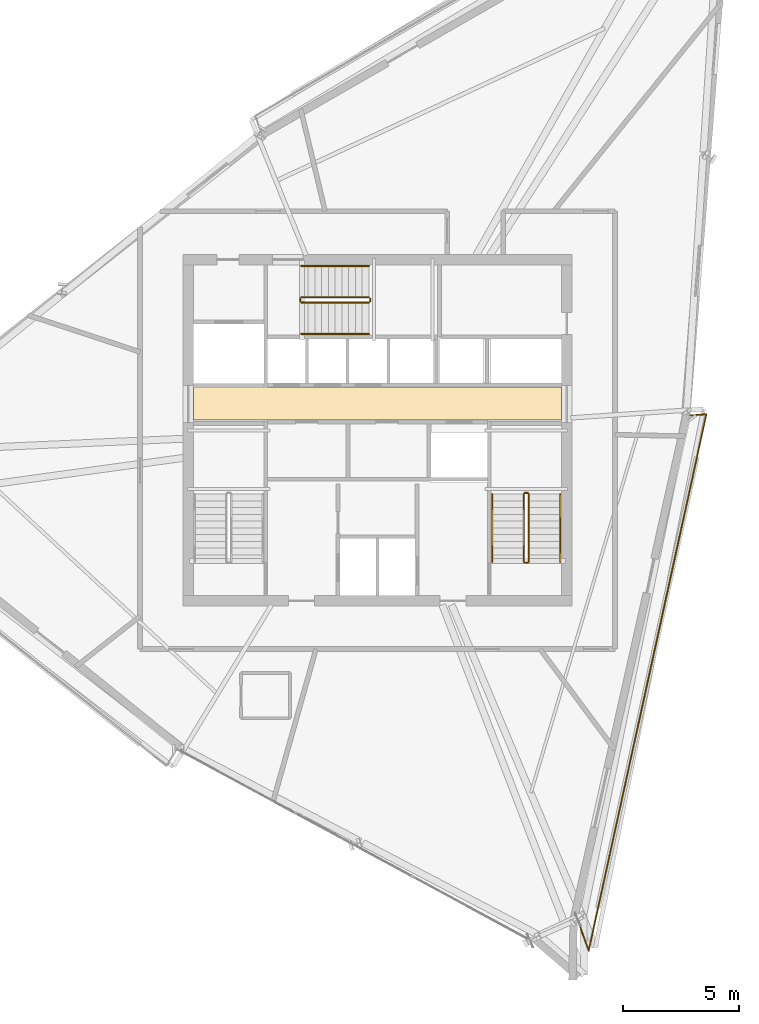
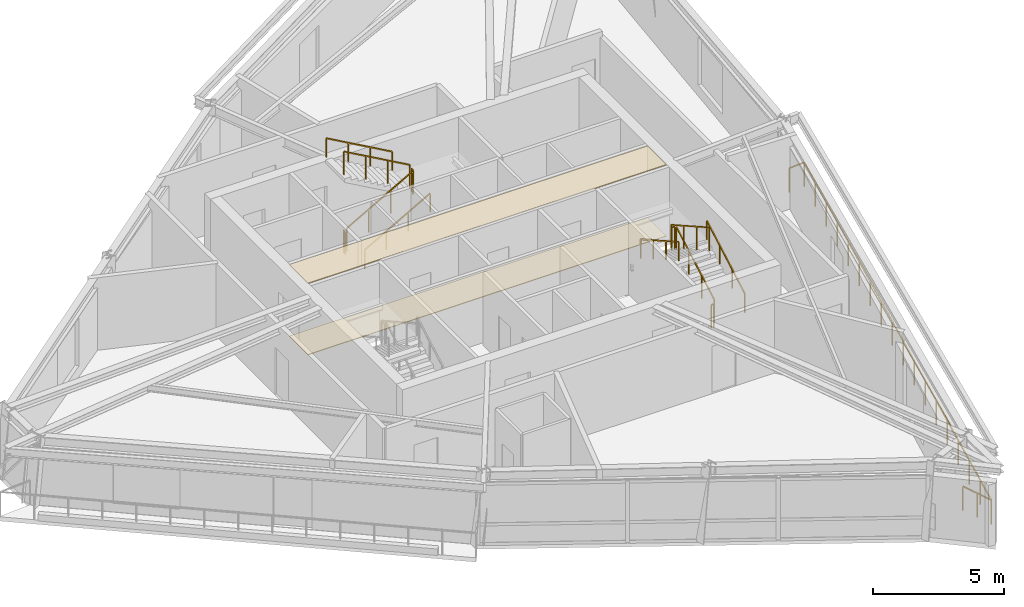
# One storey, part 14 of 15: 13 railings, 2 coverings.
"""IFC4 building model written with IfcOpenShell, lengths in metres."""

from ifc_helpers import new_model, si_unit, direction, frame, origin, origin_2d, place, context, subcontext, project, spatial, polyline, rectangle, outline, extrude, material, layer, layer_set, type_object, element, save


model = new_model("IFC4")

# Units and contexts
model_context = context("Model", 3, precision=1e-05, world=origin(), true_north=direction((0.0, 1.0)))
body_context = subcontext(model_context, "Body", "Model", "MODEL_VIEW")
ifc_project = project(units=[si_unit("LENGTHUNIT", "METRE"), si_unit("AREAUNIT", "SQUARE_METRE"), si_unit("VOLUMEUNIT", "CUBIC_METRE"), si_unit("PLANEANGLEUNIT", "RADIAN"), si_unit("MASSUNIT", "GRAM", prefix="KILO")], contexts=[model_context])

# Site, building, storey
site_placement = place(None, origin())
site = spatial("IfcSite", under=ifc_project, at=site_placement, CompositionType="ELEMENT")
building_placement = place(site_placement, origin())
building = spatial("IfcBuilding", under=site, at=building_placement, Name="Olszyna Solenne Hotel", CompositionType="ELEMENT")
storey_placement = place(building_placement, frame((0.0, 0.0, 270.5)))
storey = spatial("IfcBuildingStorey", under=building, at=storey_placement, Name="L72", CompositionType="ELEMENT", Elevation=270.5)

# Coverings
ifc_material_1 = material(Name="Mineral wool acoustic ceiling")
ifc_layer_1 = layer(ifc_material_1, 0.0400390625, Name="Mineral wool acoustic ceiling")
ifc_layer_set_1 = layer_set([ifc_layer_1], Name="Mineral wool acoustic ceiling")
covering_type_1 = type_object("IfcCoveringType", Name="CL-AC1", PredefinedType="CEILING", material=ifc_layer_set_1)
covering_1_placement = place(storey_placement, frame((0.0, 0.0, 3.320068359375)))
element("IfcCovering", 1, at=covering_1_placement, inside=storey, type_object=covering_type_1, Name="Lift lobby acoustic tile ceiling CL-L72-01", PredefinedType="CEILING", context=body_context, shape_type="SweptSolid", body=[
    extrude(outline(polyline([(30.10009765625, 27.030029296875), (45.89990234375, 27.030029296875), (45.89990234375, 28.4599609375), (30.10009765625, 28.4599609375), (30.10009765625, 27.030029296875)])), origin(), (0.0, 0.0, 1.0), 0.0400390625),
])
ifc_material_2 = material(Name="Ceramic floor tile")
ifc_layer_2 = layer(ifc_material_2, 0.030029296875, Name="Ceramic floor tile")
ifc_layer_set_2 = layer_set([ifc_layer_2], Name="Ceramic floor tile")
covering_type_2 = type_object("IfcCoveringType", Name="FL-TL1", PredefinedType="FLOORING", material=ifc_layer_set_2)
covering_2_placement = place(storey_placement, origin())
element("IfcCovering", 2, at=covering_2_placement, inside=storey, type_object=covering_type_2, Name="Lift lobby stoneware floor finish FLR-L72-01", PredefinedType="FLOORING", context=body_context, shape_type="SweptSolid", body=[
    extrude(outline(polyline([(30.10009765625, 27.030029296875), (45.89990234375, 27.030029296875), (45.89990234375, 28.4599609375), (30.10009765625, 28.4599609375), (30.10009765625, 27.030029296875)])), origin(), (0.0, 0.0, 1.0), 0.030029296875),
])

# Railings
ifc_material_3 = material(Name="Anodised bronze aluminium", Category="aluminium")
railing_type_1 = type_object("IfcRailingType", Name="GR-110", PredefinedType="BALUSTRADE", material=ifc_material_3)
railing_1_placement = place(storey_placement, frame((46.589599609375, 5.580078125, 0.0)))
element("IfcRailing", 3, at=railing_1_placement, inside=storey, type_object=railing_type_1, Name="Loggia balcony balustrade guard GR-L72-LG3", PredefinedType="BALUSTRADE", context=body_context, shape_type="SweptSolid", body=[
    extrude(rectangle(XDim=0.048095703125, YDim=0.048095703125, at=origin_2d()), frame((0.0, 0.0, 1.1259765625), z_axis=(0.3380367642, -0.941132905624, 0.0), x_axis=(0.941132905624, 0.3380367642, 0.0)), (0.0, 0.0, 1.0), 1.41845703125),
    extrude(rectangle(XDim=0.048095703125, YDim=0.048095703125, at=origin_2d()), frame((0.4794921875, -1.3349609375, 1.1259765625), z_axis=(0.21430564267, 0.976766651519, 0.0), x_axis=(-0.976766651519, 0.21430564267, 0.0)), (0.0, 0.0, 1.0), 23.583984375),
    extrude(rectangle(XDim=0.048095703125, YDim=0.048095703125, at=origin_2d()), frame((5.53369140625, 21.701171875, 1.1259765625), z_axis=(-0.997362556025, -0.072580519697, 0.0), x_axis=(0.072580519697, -0.997362556025, 0.0)), (0.0, 0.0, 1.0), 0.689453125),
    extrude(rectangle(XDim=0.0419921875, YDim=0.0419921875, at=origin_2d()), origin(), (0.0, 0.0, 1.0), 1.101806640625),
    extrude(rectangle(XDim=0.0419921875, YDim=0.0419921875, at=origin_2d()), frame((0.23974609375, -0.66748046875, 0.0)), (0.0, 0.0, 1.0), 1.101806640625),
    extrude(rectangle(XDim=0.0419921875, YDim=0.0419921875, at=origin_2d()), frame((0.4794921875, -1.3349609375, 0.0)), (0.0, 0.0, 1.0), 1.101806640625),
    extrude(rectangle(XDim=0.0419921875, YDim=0.0419921875, at=origin_2d()), frame((0.77685546875, 0.02001953125, 0.0)), (0.0, 0.0, 1.0), 1.101806640625),
    extrude(rectangle(XDim=0.0419921875, YDim=0.0419921875, at=origin_2d()), frame((1.07421875, 1.375244140625, 0.0)), (0.0, 0.0, 1.0), 1.101806640625),
    extrude(rectangle(XDim=0.0419921875, YDim=0.0419921875, at=origin_2d()), frame((1.371337890625, 2.730224609375, 0.0)), (0.0, 0.0, 1.0), 1.101806640625),
    extrude(rectangle(XDim=0.0419921875, YDim=0.0419921875, at=origin_2d()), frame((1.668701171875, 4.085205078125, 0.0)), (0.0, 0.0, 1.0), 1.101806640625),
    extrude(rectangle(XDim=0.0419921875, YDim=0.0419921875, at=origin_2d()), frame((1.966064453125, 5.4404296875, 0.0)), (0.0, 0.0, 1.0), 1.101806640625),
    extrude(rectangle(XDim=0.0419921875, YDim=0.0419921875, at=origin_2d()), frame((2.263427734375, 6.79541015625, 0.0)), (0.0, 0.0, 1.0), 1.101806640625),
    extrude(rectangle(XDim=0.0419921875, YDim=0.0419921875, at=origin_2d()), frame((2.560546875, 8.150390625, 0.0)), (0.0, 0.0, 1.0), 1.101806640625),
    extrude(rectangle(XDim=0.0419921875, YDim=0.0419921875, at=origin_2d()), frame((2.85791015625, 9.505615234375, 0.0)), (0.0, 0.0, 1.0), 1.101806640625),
    extrude(rectangle(XDim=0.0419921875, YDim=0.0419921875, at=origin_2d()), frame((3.1552734375, 10.860595703125, 0.0)), (0.0, 0.0, 1.0), 1.101806640625),
    extrude(rectangle(XDim=0.0419921875, YDim=0.0419921875, at=origin_2d()), frame((3.45263671875, 12.2158203125, 0.0)), (0.0, 0.0, 1.0), 1.101806640625),
    extrude(rectangle(XDim=0.0419921875, YDim=0.0419921875, at=origin_2d()), frame((3.749755859375, 13.57080078125, 0.0)), (0.0, 0.0, 1.0), 1.101806640625),
    extrude(rectangle(XDim=0.0419921875, YDim=0.0419921875, at=origin_2d()), frame((4.047119140625, 14.92578125, 0.0)), (0.0, 0.0, 1.0), 1.101806640625),
    extrude(rectangle(XDim=0.0419921875, YDim=0.0419921875, at=origin_2d()), frame((4.344482421875, 16.281005859375, 0.0)), (0.0, 0.0, 1.0), 1.101806640625),
    extrude(rectangle(XDim=0.0419921875, YDim=0.0419921875, at=origin_2d()), frame((4.641845703125, 17.635986328125, 0.0)), (0.0, 0.0, 1.0), 1.101806640625),
    extrude(rectangle(XDim=0.0419921875, YDim=0.0419921875, at=origin_2d()), frame((4.93896484375, 18.990966796875, 0.0)), (0.0, 0.0, 1.0), 1.101806640625),
    extrude(rectangle(XDim=0.0419921875, YDim=0.0419921875, at=origin_2d()), frame((5.236328125, 20.34619140625, 0.0)), (0.0, 0.0, 1.0), 1.101806640625),
    extrude(rectangle(XDim=0.0419921875, YDim=0.0419921875, at=origin_2d()), frame((5.53369140625, 21.701171875, 0.0)), (0.0, 0.0, 1.0), 1.101806640625),
    extrude(rectangle(XDim=0.0419921875, YDim=0.0419921875, at=origin_2d()), frame((4.845947265625, 21.651123046875, 0.0)), (0.0, 0.0, 1.0), 1.101806640625),
])
railing_2_placement = place(storey_placement, frame((44.5, 20.949951171875, 0.16357421875)))
element("IfcRailing", 4, at=railing_2_placement, inside=storey, type_object=railing_type_1, Name="L72 ST2 stair guard 1", PredefinedType="BALUSTRADE", context=body_context, shape_type="SweptSolid", body=[
    extrude(rectangle(XDim=0.048095703125, YDim=0.048095703125, at=origin_2d()), frame((0.0, 0.0, 1.076171875), z_axis=(0.0, 0.870914908162, 0.491433843708), x_axis=(-1.0, 0.0, 0.0)), (0.0, 0.0, 1.0), 3.330078125),
    extrude(rectangle(XDim=0.0419921875, YDim=0.0419921875, at=origin_2d()), origin(), (0.0, 0.0, 1.0), 1.052001953125),
    extrude(rectangle(XDim=0.0419921875, YDim=0.0419921875, at=origin_2d()), frame((0.0, 0.966796875, 0.54541015625)), (0.0, 0.0, 1.0), 1.052001953125),
    extrude(rectangle(XDim=0.0419921875, YDim=0.0419921875, at=origin_2d()), frame((0.0, 1.933349609375, 1.091064453125)), (0.0, 0.0, 1.0), 1.052001953125),
    extrude(rectangle(XDim=0.0419921875, YDim=0.0419921875, at=origin_2d()), frame((0.0, 2.900146484375, 1.636474609375)), (0.0, 0.0, 1.0), 1.052001953125),
])
railing_3_placement = place(storey_placement, frame((44.449951171875, 23.89990234375, 1.800048828125)))
element("IfcRailing", 5, at=railing_3_placement, inside=storey, type_object=railing_type_1, Name="L72 ST2 stair guard 2", PredefinedType="BALUSTRADE", context=body_context, shape_type="SweptSolid", body=[
    extrude(rectangle(XDim=0.048095703125, YDim=0.048095703125, at=origin_2d()), frame((0.0, 0.0, 1.076171875), z_axis=(-1.0, 0.0, 0.0), x_axis=(0.0, -1.0, 0.0)), (0.0, 0.0, 1.0), 0.119873046875),
    extrude(rectangle(XDim=0.0419921875, YDim=0.0419921875, at=origin_2d()), origin(), (0.0, 0.0, 1.0), 1.052001953125),
    extrude(rectangle(XDim=0.0419921875, YDim=0.0419921875, at=origin_2d()), frame((-0.119873046875, 0.0, 0.0)), (0.0, 0.0, 1.0), 1.052001953125),
])
railing_4_placement = place(storey_placement, frame((44.280029296875, 23.85009765625, 1.963623046875)))
element("IfcRailing", 6, at=railing_4_placement, inside=storey, type_object=railing_type_1, Name="L72 ST2 stair guard 3", PredefinedType="BALUSTRADE", context=body_context, shape_type="SweptSolid", body=[
    extrude(rectangle(XDim=0.048095703125, YDim=0.048095703125, at=origin_2d()), frame((0.0, 0.0, 1.076171875), z_axis=(0.0, -0.870914908162, 0.491433843708), x_axis=(1.0, 0.0, 0.0)), (0.0, 0.0, 1.0), 3.330078125),
    extrude(rectangle(XDim=0.0419921875, YDim=0.0419921875, at=origin_2d()), origin(), (0.0, 0.0, 1.0), 1.052001953125),
    extrude(rectangle(XDim=0.0419921875, YDim=0.0419921875, at=origin_2d()), frame((0.0, -0.966796875, 0.54541015625)), (0.0, 0.0, 1.0), 1.052001953125),
    extrude(rectangle(XDim=0.0419921875, YDim=0.0419921875, at=origin_2d()), frame((0.0, -1.933349609375, 1.091064453125)), (0.0, 0.0, 1.0), 1.052001953125),
    extrude(rectangle(XDim=0.0419921875, YDim=0.0419921875, at=origin_2d()), frame((0.0, -2.900146484375, 1.636474609375)), (0.0, 0.0, 1.0), 1.052001953125),
])
railing_5_placement = place(storey_placement, frame((44.449951171875, 20.89990234375, 0.0)))
element("IfcRailing", 7, at=railing_5_placement, inside=storey, type_object=railing_type_1, Name="L72 ST2 stair guard 4", PredefinedType="BALUSTRADE", context=body_context, shape_type="SweptSolid", body=[
    extrude(rectangle(XDim=0.048095703125, YDim=0.048095703125, at=origin_2d()), frame((0.0, 0.0, 1.076171875), z_axis=(-1.0, 0.0, 0.0), x_axis=(0.0, -1.0, 0.0)), (0.0, 0.0, 1.0), 0.119873046875),
    extrude(rectangle(XDim=0.0419921875, YDim=0.0419921875, at=origin_2d()), origin(), (0.0, 0.0, 1.0), 1.052001953125),
    extrude(rectangle(XDim=0.0419921875, YDim=0.0419921875, at=origin_2d()), frame((-0.119873046875, 0.0, 0.0)), (0.0, 0.0, 1.0), 1.052001953125),
])
railing_6_placement = place(storey_placement, frame((34.72998046875, 32.080078125, 0.16357421875)))
element("IfcRailing", 8, at=railing_6_placement, inside=storey, type_object=railing_type_1, Name="L72 ST3 stair guard 1", PredefinedType="BALUSTRADE", context=body_context, shape_type="SweptSolid", body=[
    extrude(rectangle(XDim=0.048095703125, YDim=0.048095703125, at=origin_2d()), frame((0.0, 0.0, 1.076171875), z_axis=(0.870897200241, 0.0, 0.491465224214), x_axis=(0.0, 1.0, 0.0)), (0.0, 0.0, 1.0), 3.329833984375),
    extrude(rectangle(XDim=0.0419921875, YDim=0.0419921875, at=origin_2d()), origin(), (0.0, 0.0, 1.0), 1.052001953125),
    extrude(rectangle(XDim=0.0419921875, YDim=0.0419921875, at=origin_2d()), frame((0.966552734375, 0.0, 0.54541015625)), (0.0, 0.0, 1.0), 1.052001953125),
    extrude(rectangle(XDim=0.0419921875, YDim=0.0419921875, at=origin_2d()), frame((1.933349609375, 0.0, 1.091064453125)), (0.0, 0.0, 1.0), 1.052001953125),
    extrude(rectangle(XDim=0.0419921875, YDim=0.0419921875, at=origin_2d()), frame((2.89990234375, 0.0, 1.636474609375)), (0.0, 0.0, 1.0), 1.052001953125),
])
railing_7_placement = place(storey_placement, frame((37.679931640625, 32.1298828125, 1.800048828125)))
element("IfcRailing", 9, at=railing_7_placement, inside=storey, type_object=railing_type_1, Name="L72 ST3 stair guard 2", PredefinedType="BALUSTRADE", context=body_context, shape_type="SweptSolid", body=[
    extrude(rectangle(XDim=0.048095703125, YDim=0.048095703125, at=origin_2d()), frame((0.0, 0.0, 1.076171875), z_axis=(0.0, 1.0, 0.0), x_axis=(-1.0, 0.0, 0.0)), (0.0, 0.0, 1.0), 0.1201171875),
    extrude(rectangle(XDim=0.0419921875, YDim=0.0419921875, at=origin_2d()), origin(), (0.0, 0.0, 1.0), 1.052001953125),
    extrude(rectangle(XDim=0.0419921875, YDim=0.0419921875, at=origin_2d()), frame((0.0, 0.1201171875, 0.0)), (0.0, 0.0, 1.0), 1.052001953125),
])
railing_8_placement = place(storey_placement, frame((37.6298828125, 32.300048828125, 1.963623046875)))
element("IfcRailing", 10, at=railing_8_placement, inside=storey, type_object=railing_type_1, Name="L72 ST3 stair guard 3", PredefinedType="BALUSTRADE", context=body_context, shape_type="SweptSolid", body=[
    extrude(rectangle(XDim=0.048095703125, YDim=0.048095703125, at=origin_2d()), frame((0.0, 0.0, 1.076171875), z_axis=(-0.870897200241, 0.0, 0.491465224214), x_axis=(0.0, -1.0, 0.0)), (0.0, 0.0, 1.0), 3.329833984375),
    extrude(rectangle(XDim=0.0419921875, YDim=0.0419921875, at=origin_2d()), origin(), (0.0, 0.0, 1.0), 1.052001953125),
    extrude(rectangle(XDim=0.0419921875, YDim=0.0419921875, at=origin_2d()), frame((-0.966552734375, 0.0, 0.54541015625)), (0.0, 0.0, 1.0), 1.052001953125),
    extrude(rectangle(XDim=0.0419921875, YDim=0.0419921875, at=origin_2d()), frame((-1.933349609375, 0.0, 1.091064453125)), (0.0, 0.0, 1.0), 1.052001953125),
    extrude(rectangle(XDim=0.0419921875, YDim=0.0419921875, at=origin_2d()), frame((-2.89990234375, 0.0, 1.636474609375)), (0.0, 0.0, 1.0), 1.052001953125),
])
railing_9_placement = place(storey_placement, frame((34.679931640625, 32.1298828125, 0.0)))
element("IfcRailing", 11, at=railing_9_placement, inside=storey, type_object=railing_type_1, Name="L72 ST3 stair guard 4", PredefinedType="BALUSTRADE", context=body_context, shape_type="SweptSolid", body=[
    extrude(rectangle(XDim=0.048095703125, YDim=0.048095703125, at=origin_2d()), frame((0.0, 0.0, 1.076171875), z_axis=(0.0, 1.0, 0.0), x_axis=(-1.0, 0.0, 0.0)), (0.0, 0.0, 1.0), 0.1201171875),
    extrude(rectangle(XDim=0.0419921875, YDim=0.0419921875, at=origin_2d()), origin(), (0.0, 0.0, 1.0), 1.052001953125),
    extrude(rectangle(XDim=0.0419921875, YDim=0.0419921875, at=origin_2d()), frame((0.0, 0.1201171875, 0.0)), (0.0, 0.0, 1.0), 1.052001953125),
])
ifc_material_4 = material(Name="Steel S355J2", Category="steel")
railing_type_2 = type_object("IfcRailingType", Name="HR-090", PredefinedType="HANDRAIL", material=ifc_material_4)
railing_10_placement = place(storey_placement, frame((45.85009765625, 20.949951171875, 0.16357421875)))
element("IfcRailing", 12, at=railing_10_placement, inside=storey, type_object=railing_type_2, Name="L72 ST2 stair handrail 1", PredefinedType="HANDRAIL", context=body_context, shape_type="SweptSolid", body=[
    extrude(rectangle(XDim=0.048095703125, YDim=0.048095703125, at=origin_2d()), frame((0.0, 0.0, 0.8759765625), z_axis=(0.0, 0.870914908162, 0.491433843708), x_axis=(-1.0, 0.0, 0.0)), (0.0, 0.0, 1.0), 3.330078125),
    extrude(rectangle(XDim=0.0419921875, YDim=0.0419921875, at=origin_2d()), origin(), (0.0, 0.0, 1.0), 0.851806640625),
    extrude(rectangle(XDim=0.0419921875, YDim=0.0419921875, at=origin_2d()), frame((0.0, 0.966796875, 0.54541015625)), (0.0, 0.0, 1.0), 0.851806640625),
    extrude(rectangle(XDim=0.0419921875, YDim=0.0419921875, at=origin_2d()), frame((0.0, 1.933349609375, 1.091064453125)), (0.0, 0.0, 1.0), 0.851806640625),
    extrude(rectangle(XDim=0.0419921875, YDim=0.0419921875, at=origin_2d()), frame((0.0, 2.900146484375, 1.636474609375)), (0.0, 0.0, 1.0), 0.851806640625),
])
railing_11_placement = place(storey_placement, frame((42.929931640625, 23.85009765625, 1.963623046875)))
element("IfcRailing", 13, at=railing_11_placement, inside=storey, type_object=railing_type_2, Name="L72 ST2 stair handrail 2", PredefinedType="HANDRAIL", context=body_context, shape_type="SweptSolid", body=[
    extrude(rectangle(XDim=0.048095703125, YDim=0.048095703125, at=origin_2d()), frame((0.0, 0.0, 0.8759765625), z_axis=(0.0, -0.870914908162, 0.491433843708), x_axis=(1.0, 0.0, 0.0)), (0.0, 0.0, 1.0), 3.330078125),
    extrude(rectangle(XDim=0.0419921875, YDim=0.0419921875, at=origin_2d()), origin(), (0.0, 0.0, 1.0), 0.851806640625),
    extrude(rectangle(XDim=0.0419921875, YDim=0.0419921875, at=origin_2d()), frame((0.0, -0.966796875, 0.54541015625)), (0.0, 0.0, 1.0), 0.851806640625),
    extrude(rectangle(XDim=0.0419921875, YDim=0.0419921875, at=origin_2d()), frame((0.0, -1.933349609375, 1.091064453125)), (0.0, 0.0, 1.0), 0.851806640625),
    extrude(rectangle(XDim=0.0419921875, YDim=0.0419921875, at=origin_2d()), frame((0.0, -2.900146484375, 1.636474609375)), (0.0, 0.0, 1.0), 0.851806640625),
])
railing_12_placement = place(storey_placement, frame((34.72998046875, 30.72998046875, 0.16357421875)))
element("IfcRailing", 14, at=railing_12_placement, inside=storey, type_object=railing_type_2, Name="L72 ST3 stair handrail 1", PredefinedType="HANDRAIL", context=body_context, shape_type="SweptSolid", body=[
    extrude(rectangle(XDim=0.048095703125, YDim=0.048095703125, at=origin_2d()), frame((0.0, 0.0, 0.8759765625), z_axis=(0.870897200241, 0.0, 0.491465224214), x_axis=(0.0, 1.0, 0.0)), (0.0, 0.0, 1.0), 3.329833984375),
    extrude(rectangle(XDim=0.0419921875, YDim=0.0419921875, at=origin_2d()), origin(), (0.0, 0.0, 1.0), 0.851806640625),
    extrude(rectangle(XDim=0.0419921875, YDim=0.0419921875, at=origin_2d()), frame((0.966552734375, 0.0, 0.54541015625)), (0.0, 0.0, 1.0), 0.851806640625),
    extrude(rectangle(XDim=0.0419921875, YDim=0.0419921875, at=origin_2d()), frame((1.933349609375, 0.0, 1.091064453125)), (0.0, 0.0, 1.0), 0.851806640625),
    extrude(rectangle(XDim=0.0419921875, YDim=0.0419921875, at=origin_2d()), frame((2.89990234375, 0.0, 1.636474609375)), (0.0, 0.0, 1.0), 0.851806640625),
])
railing_13_placement = place(storey_placement, frame((37.6298828125, 33.64990234375, 1.963623046875)))
element("IfcRailing", 15, at=railing_13_placement, inside=storey, type_object=railing_type_2, Name="L72 ST3 stair handrail 2", PredefinedType="HANDRAIL", context=body_context, shape_type="SweptSolid", body=[
    extrude(rectangle(XDim=0.048095703125, YDim=0.048095703125, at=origin_2d()), frame((0.0, 0.0, 0.8759765625), z_axis=(-0.870897200241, 0.0, 0.491465224214), x_axis=(0.0, -1.0, 0.0)), (0.0, 0.0, 1.0), 3.329833984375),
    extrude(rectangle(XDim=0.0419921875, YDim=0.0419921875, at=origin_2d()), origin(), (0.0, 0.0, 1.0), 0.851806640625),
    extrude(rectangle(XDim=0.0419921875, YDim=0.0419921875, at=origin_2d()), frame((-0.966552734375, 0.0, 0.54541015625)), (0.0, 0.0, 1.0), 0.851806640625),
    extrude(rectangle(XDim=0.0419921875, YDim=0.0419921875, at=origin_2d()), frame((-1.933349609375, 0.0, 1.091064453125)), (0.0, 0.0, 1.0), 0.851806640625),
    extrude(rectangle(XDim=0.0419921875, YDim=0.0419921875, at=origin_2d()), frame((-2.89990234375, 0.0, 1.636474609375)), (0.0, 0.0, 1.0), 0.851806640625),
])

save(model, "model.ifc")
